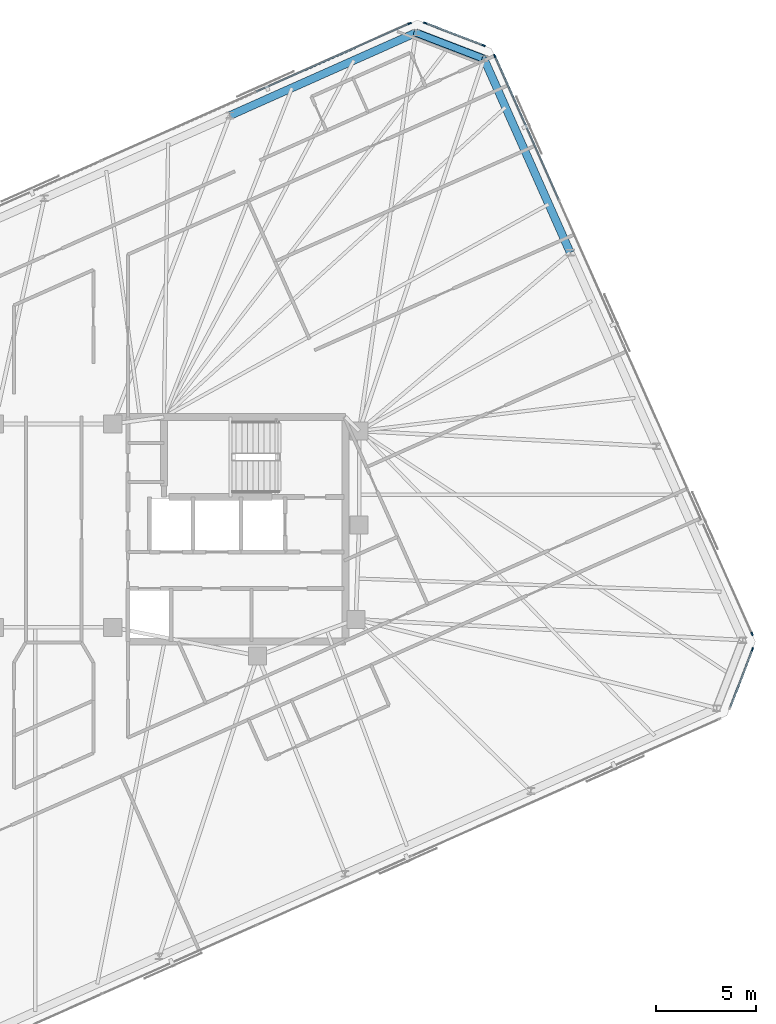
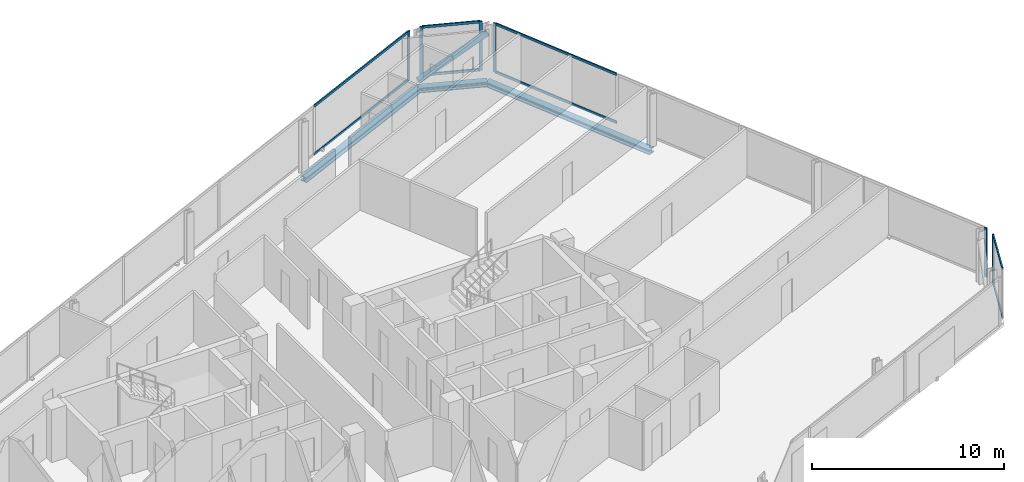
# One storey, part 11 of 18: 15 members, 3 beams, 4 elements without a shape of their own.
"""IFC4 building model written with IfcOpenShell, lengths in metres."""

from ifc_helpers import new_model, si_unit, direction, frame, origin, origin_2d, place, context, subcontext, project, spatial, rectangle, hollow_circle, i_section, extrude, material, material_profile, profile_set, type_object, element, aggregate, save


model = new_model("IFC4")

# Units and contexts
model_context = context("Model", 3, precision=1e-05, world=origin(), true_north=direction((0.0, 1.0)))
body_context = subcontext(model_context, "Body", "Model", "MODEL_VIEW")
ifc_project = project(units=[si_unit("LENGTHUNIT", "METRE"), si_unit("AREAUNIT", "SQUARE_METRE"), si_unit("VOLUMEUNIT", "CUBIC_METRE"), si_unit("PLANEANGLEUNIT", "RADIAN"), si_unit("MASSUNIT", "GRAM", prefix="KILO")], contexts=[model_context])

# Site, building, storey
site_placement = place(None, origin())
site = spatial("IfcSite", under=ifc_project, at=site_placement, CompositionType="ELEMENT")
building_placement = place(site_placement, origin())
building = spatial("IfcBuilding", under=site, at=building_placement, Name="Menara Jurai Vektor", CompositionType="ELEMENT")
storey_placement = place(building_placement, frame((0.0, 0.0, 258.85009765625)))
storey = spatial("IfcBuildingStorey", under=building, at=storey_placement, Name="L69", CompositionType="ELEMENT", Elevation=258.85009765625)

# Curtain wall, member
ifc_material_1 = material(Name="Anodised Pale Aluminium & Low-E Double Glazing", Category="aluminium")
curtain_wall_type = type_object("IfcCurtainWallType", Name="CW-BLK5", PredefinedType="NOTDEFINED", material=ifc_material_1)
curtain_wall_1_placement = place(storey_placement, origin())
curtain_wall_1 = element("IfcCurtainWall", 1, at=curtain_wall_1_placement, inside=storey, type_object=curtain_wall_type, Name="Unitised Curtain Wall L69 F02", PredefinedType="NOTDEFINED")
ifc_material_2 = material(Name="Anodised Pale Aluminium Mullion", Category="aluminium")
ifc_material_profile_1 = material_profile(ifc_material_2, rectangle(XDim=0.074951171875, YDim=0.175048828125, at=origin_2d()), Name="ALU MUL 75x175")
ifc_profile_set_1 = profile_set([ifc_material_profile_1], Name="Anodised Pale Aluminium Mullion")
member_type_1 = type_object("IfcMemberType", Name="CW-BLK5-MUL", PredefinedType="MULLION", material=ifc_profile_set_1)
member_1_placement = place(storey_placement, frame((34.87548828125, -5.997314453125, 0.0), z_axis=(0.0, 0.0, 1.0), x_axis=(-0.933578193639, 0.358373766287, 0.0)))
member_1 = element("IfcMember", 2, at=member_1_placement, type_object=member_type_1, Name="CW-05 mullion 2", PredefinedType="MULLION", context=body_context, shape_type="SweptSolid", body=[
    extrude(rectangle(XDim=0.074951171875, YDim=0.175048828125, at=origin_2d()), origin(), (0.0, 0.0, 1.0), 3.125),
])

# Curtain wall, members
curtain_wall_2_placement = place(storey_placement, origin())
curtain_wall_2 = element("IfcCurtainWall", 3, at=curtain_wall_2_placement, inside=storey, type_object=curtain_wall_type, Name="Unitised Curtain Wall L69 F03", PredefinedType="NOTDEFINED")
member_2_placement = place(storey_placement, frame((34.85546875, -5.22607421875, 0.0), z_axis=(0.0, 0.0, 1.0), x_axis=(-0.913546127706, -0.406735138086, 0.0)))
member_2 = element("IfcMember", 4, at=member_2_placement, type_object=member_type_1, Name="CW-05 mullion 1", PredefinedType="MULLION", context=body_context, shape_type="SweptSolid", body=[
    extrude(rectangle(XDim=0.074951171875, YDim=0.175048828125, at=origin_2d()), origin(), (0.0, 0.0, 1.0), 3.125),
])
member_3_placement = place(storey_placement, frame((22.016845703125, 23.610107421875, 0.0), z_axis=(0.0, 0.0, 1.0), x_axis=(-0.913546127706, -0.406735138086, 0.0)))
member_3 = element("IfcMember", 5, at=member_3_placement, type_object=member_type_1, Name="CW-05 mullion 5", PredefinedType="MULLION", context=body_context, shape_type="SweptSolid", body=[
    extrude(rectangle(XDim=0.074951171875, YDim=0.175048828125, at=origin_2d()), origin(), (0.0, 0.0, 1.0), 3.125),
])

curtain_wall_3_placement = place(storey_placement, origin())
curtain_wall_3 = element("IfcCurtainWall", 6, at=curtain_wall_3_placement, inside=storey, type_object=curtain_wall_type, Name="Unitised Curtain Wall L69 F04", PredefinedType="NOTDEFINED")
member_4_placement = place(storey_placement, frame((21.45703125, 24.14111328125, 0.0), z_axis=(0.0, 0.0, 1.0), x_axis=(-0.358373766287, -0.933578193639, 0.0)))
member_4 = element("IfcMember", 7, at=member_4_placement, type_object=member_type_1, Name="CW-05 mullion 1", PredefinedType="MULLION", context=body_context, shape_type="SweptSolid", body=[
    extrude(rectangle(XDim=0.074951171875, YDim=0.175048828125, at=origin_2d()), origin(), (0.0, 0.0, 1.0), 3.125),
])
member_5_placement = place(storey_placement, frame((18.539794921875, 25.2607421875, 0.0), z_axis=(0.0, 0.0, 1.0), x_axis=(-0.358373766287, -0.933578193639, 0.0)))
member_5 = element("IfcMember", 8, at=member_5_placement, type_object=member_type_1, Name="CW-05 mullion 2", PredefinedType="MULLION", context=body_context, shape_type="SweptSolid", body=[
    extrude(rectangle(XDim=0.074951171875, YDim=0.175048828125, at=origin_2d()), origin(), (0.0, 0.0, 1.0), 3.125),
])

# Curtain wall, member
curtain_wall_4_placement = place(storey_placement, origin())
curtain_wall_4 = element("IfcCurtainWall", 9, at=curtain_wall_4_placement, inside=storey, type_object=curtain_wall_type, Name="Unitised Curtain Wall L69 F05", PredefinedType="NOTDEFINED")
member_6_placement = place(storey_placement, frame((17.768798828125, 25.24072265625, 0.0), z_axis=(0.0, 0.0, 1.0), x_axis=(0.406735498684, -0.913545967158, 0.0)))
member_6 = element("IfcMember", 10, at=member_6_placement, type_object=member_type_1, Name="CW-05 mullion 1", PredefinedType="MULLION", context=body_context, shape_type="SweptSolid", body=[
    extrude(rectangle(XDim=0.074951171875, YDim=0.175048828125, at=origin_2d()), origin(), (0.0, 0.0, 1.0), 3.125),
])

# Member
ifc_material_3 = material(Name="Anodised Pale Aluminium Transom", Category="aluminium")
ifc_material_profile_2 = material_profile(ifc_material_3, rectangle(XDim=0.074951171875, YDim=0.155029296875, at=origin_2d()), Name="ALU TRN 75x155")
ifc_profile_set_2 = profile_set([ifc_material_profile_2], Name="Anodised Pale Aluminium Transom")
member_type_2 = type_object("IfcMemberType", Name="CW-BLK5-TRN", PredefinedType="USERDEFINED", material=ifc_profile_set_2)
member_7_placement = place(storey_placement, frame((33.769287109375, -8.87939453125, 0.037353515625), z_axis=(0.358324523823, 0.933597094911, 0.0), x_axis=(-0.933597094911, 0.358324523823, 0.0)))
member_7 = element("IfcMember", 11, at=member_7_placement, type_object=member_type_2, Name="CW-05 transom 1.1", ObjectType="TRANSOM", PredefinedType="USERDEFINED", context=body_context, shape_type="SweptSolid", body=[
    extrude(rectangle(XDim=0.074951171875, YDim=0.155029296875, at=origin_2d()), origin(), (0.0, 0.0, 1.0), 3.049560546875),
])

member_8_placement = place(storey_placement, frame((33.769287109375, -8.87939453125, 3.08740234375), z_axis=(0.358324523823, 0.933597094911, 0.0), x_axis=(-0.933597094911, 0.358324523823, 0.0)))
member_8 = element("IfcMember", 12, at=member_8_placement, type_object=member_type_2, Name="CW-05 transom 1.2", ObjectType="TRANSOM", PredefinedType="USERDEFINED", context=body_context, shape_type="SweptSolid", body=[
    extrude(rectangle(XDim=0.074951171875, YDim=0.155029296875, at=origin_2d()), origin(), (0.0, 0.0, 1.0), 3.049560546875),
])

aggregate(curtain_wall_1, [member_1, member_7, member_8])

member_9_placement = place(storey_placement, frame((25.20361328125, 16.452392578125, 0.037353515625), z_axis=(-0.406751345283, 0.913538911656, 0.0), x_axis=(-0.913538911656, -0.406751345283, 0.0)))
member_9 = element("IfcMember", 13, at=member_9_placement, type_object=member_type_2, Name="CW-05 transom 4.1", ObjectType="TRANSOM", PredefinedType="USERDEFINED", context=body_context, shape_type="SweptSolid", body=[
    extrude(rectangle(XDim=0.074951171875, YDim=0.155029296875, at=origin_2d()), origin(), (0.0, 0.0, 1.0), 7.79736328125),
])

member_10_placement = place(storey_placement, frame((25.20361328125, 16.452392578125, 3.08740234375), z_axis=(-0.406751345283, 0.913538911656, 0.0), x_axis=(-0.913538911656, -0.406751345283, 0.0)))
member_10 = element("IfcMember", 14, at=member_10_placement, type_object=member_type_2, Name="CW-05 transom 4.2", ObjectType="TRANSOM", PredefinedType="USERDEFINED", context=body_context, shape_type="SweptSolid", body=[
    extrude(rectangle(XDim=0.074951171875, YDim=0.155029296875, at=origin_2d()), origin(), (0.0, 0.0, 1.0), 7.79736328125),
])

aggregate(curtain_wall_2, [member_2, member_3, member_9, member_10])

member_11_placement = place(storey_placement, frame((21.422119140625, 24.154541015625, 0.037353515625), z_axis=(-0.933597094911, 0.358324523823, 0.0), x_axis=(-0.358324523823, -0.933597094911, 0.0)))
member_11 = element("IfcMember", 15, at=member_11_placement, type_object=member_type_2, Name="CW-05 transom 1.1", ObjectType="TRANSOM", PredefinedType="USERDEFINED", context=body_context, shape_type="SweptSolid", body=[
    extrude(rectangle(XDim=0.074951171875, YDim=0.155029296875, at=origin_2d()), origin(), (0.0, 0.0, 1.0), 3.049560546875),
])

member_12_placement = place(storey_placement, frame((21.422119140625, 24.154541015625, 3.08740234375), z_axis=(-0.933597094911, 0.358324523823, 0.0), x_axis=(-0.358324523823, -0.933597094911, 0.0)))
member_12 = element("IfcMember", 16, at=member_12_placement, type_object=member_type_2, Name="CW-05 transom 1.2", ObjectType="TRANSOM", PredefinedType="USERDEFINED", context=body_context, shape_type="SweptSolid", body=[
    extrude(rectangle(XDim=0.074951171875, YDim=0.155029296875, at=origin_2d()), origin(), (0.0, 0.0, 1.0), 3.049560546875),
])

aggregate(curtain_wall_3, [member_4, member_5, member_11, member_12])

member_13_placement = place(storey_placement, frame((17.734375, 25.225341796875, 0.037353515625), z_axis=(-0.913549007168, -0.406728670618, 0.0), x_axis=(0.406728670618, -0.913549007168, 0.0)))
member_13 = element("IfcMember", 17, at=member_13_placement, type_object=member_type_2, Name="CW-05 transom 1.1", ObjectType="TRANSOM", PredefinedType="USERDEFINED", context=body_context, shape_type="SweptSolid", body=[
    extrude(rectangle(XDim=0.074951171875, YDim=0.155029296875, at=origin_2d()), origin(), (0.0, 0.0, 1.0), 8.327392578125),
])

member_14_placement = place(storey_placement, frame((17.734375, 25.225341796875, 3.08740234375), z_axis=(-0.913549007168, -0.406728670618, 0.0), x_axis=(0.406728670618, -0.913549007168, 0.0)))
member_14 = element("IfcMember", 18, at=member_14_placement, type_object=member_type_2, Name="CW-05 transom 1.2", ObjectType="TRANSOM", PredefinedType="USERDEFINED", context=body_context, shape_type="SweptSolid", body=[
    extrude(rectangle(XDim=0.074951171875, YDim=0.155029296875, at=origin_2d()), origin(), (0.0, 0.0, 1.0), 8.327392578125),
])

aggregate(curtain_wall_4, [member_6, member_13, member_14])

# Beams
ifc_material_4 = material(Name="Steel S460", Category="steel")
ifc_material_profile_3 = material_profile(ifc_material_4, i_section(OverallWidth=0.39697265625, OverallDepth=0.31591796875, WebThickness=0.030029296875, FlangeThickness=0.048095703125, FilletRadius=0.014892578125, at=origin_2d()), Name="HD 400x382")
ifc_profile_set_3 = profile_set([ifc_material_profile_3], Name="Steel S460")
beam_type = type_object("IfcBeamType", Name="STR-BM-CHORD382", PredefinedType="SPANDREL", material=ifc_profile_set_3)
beam_1_placement = place(storey_placement, frame((25.781005859375, 13.80322265625, -0.383056640625), z_axis=(-0.40673543049, 0.91354599752, 0.0), x_axis=(-0.91354599752, -0.40673543049, 0.0)))
element("IfcBeam", 19, at=beam_1_placement, inside=storey, type_object=beam_type, Name="Exoskeleton Spandrel Beam L69-09", PredefinedType="SPANDREL", context=body_context, shape_type="SweptSolid", body=[
    extrude(i_section(OverallWidth=0.39697265625, OverallDepth=0.31591796875, WebThickness=0.030029296875, FlangeThickness=0.048095703125, FilletRadius=0.014892578125, at=origin_2d()), origin(), (0.0, 0.0, 1.0), 10.585205078125),
])
beam_2_placement = place(storey_placement, frame((21.4755859375, 23.473388671875, -0.383056640625), z_axis=(-0.933570293083, 0.358394346877, 0.0), x_axis=(-0.358394346877, -0.933570293083, 0.0)))
element("IfcBeam", 20, at=beam_2_placement, inside=storey, type_object=beam_type, Name="Exoskeleton Spandrel Beam L69-10", PredefinedType="SPANDREL", context=body_context, shape_type="SweptSolid", body=[
    extrude(i_section(OverallWidth=0.39697265625, OverallDepth=0.31591796875, WebThickness=0.030029296875, FlangeThickness=0.048095703125, FilletRadius=0.014892578125, at=origin_2d()), origin(), (0.0, 0.0, 1.0), 3.6376953125),
])
beam_3_placement = place(storey_placement, frame((18.07958984375, 24.777099609375, -0.383056640625), z_axis=(-0.913545561407, -0.406736410017, 0.0), x_axis=(0.406736410017, -0.913545561407, 0.0)))
element("IfcBeam", 21, at=beam_3_placement, inside=storey, type_object=beam_type, Name="Exoskeleton Spandrel Beam L69-11", PredefinedType="SPANDREL", context=body_context, shape_type="SweptSolid", body=[
    extrude(i_section(OverallWidth=0.39697265625, OverallDepth=0.31591796875, WebThickness=0.030029296875, FlangeThickness=0.048095703125, FilletRadius=0.014892578125, at=origin_2d()), origin(), (0.0, 0.0, 1.0), 10.1513671875),
])

# Member
ifc_material_profile_4 = material_profile(ifc_material_4, hollow_circle(Radius=0.177734375, WallThickness=0.01611328125, at=origin_2d()), Name="CHS 355.6x16")
ifc_profile_set_4 = profile_set([ifc_material_profile_4], Name="Steel S460")
member_type_3 = type_object("IfcMemberType", Name="STR-BR-356", PredefinedType="BRACE", material=ifc_profile_set_4)
member_15_placement = place(storey_placement, frame((18.07958984375, 24.777099609375, 0.14990234375), z_axis=(0.757042028889, -0.2906257681, 0.585170085882), x_axis=(0.358394346877, 0.933570293083, 0.0)))
element("IfcMember", 22, at=member_15_placement, inside=storey, type_object=member_type_3, Name="Exoskeleton Corner Brace L69-2", PredefinedType="BRACE", context=body_context, shape_type="SweptSolid", body=[
    extrude(hollow_circle(Radius=0.177734375, WallThickness=0.01611328125, at=origin_2d()), origin(), (0.0, 0.0, 1.0), 4.48583984375),
])

save(model, "model.ifc")
